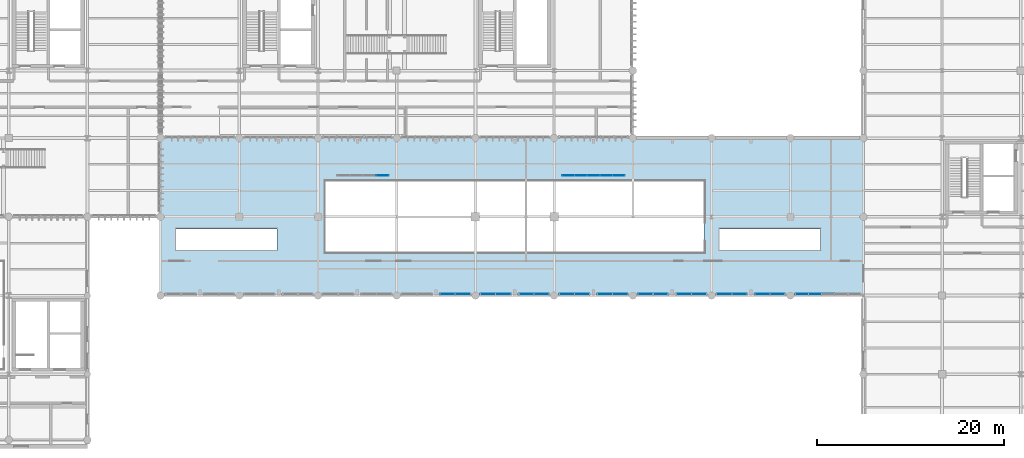
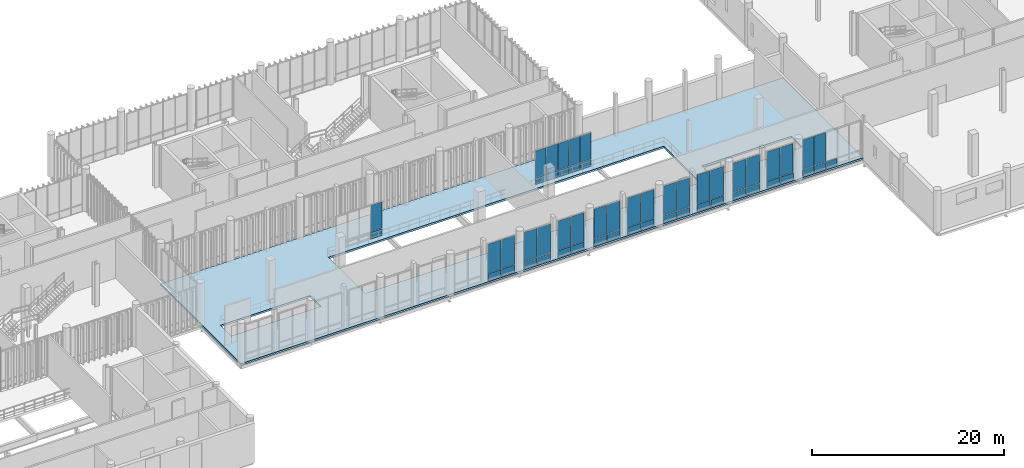
# One storey, part 98 of 128: 53 plates, 1 slab, 12 elements without a shape of their own.
"""IFC4 building model written with IfcOpenShell, lengths in metres."""

from ifc_helpers import new_model, si_unit, direction, frame, frame_2d, origin_with_axes, place, context, subcontext, project, spatial, polyline, rectangle, outline, extrude, material, layer, layer_set, type_object, element, aggregate, save


model = new_model("IFC4")

# Units and contexts
model_context = context("Model", 3, precision=1e-05, world=origin_with_axes(), true_north=direction((0.0, 1.0)))
body_context = subcontext(model_context, "Body", "Model", "MODEL_VIEW")
ifc_project = project(units=[si_unit("LENGTHUNIT", "METRE"), si_unit("AREAUNIT", "SQUARE_METRE"), si_unit("VOLUMEUNIT", "CUBIC_METRE"), si_unit("PLANEANGLEUNIT", "RADIAN"), si_unit("MASSUNIT", "GRAM", prefix="KILO"), si_unit("THERMODYNAMICTEMPERATUREUNIT", "KELVIN")], contexts=[model_context])

# Site, building, storey
site_placement = place(None, origin_with_axes())
site = spatial("IfcSite", under=ifc_project, at=site_placement, CompositionType="ELEMENT")
building_placement = place(site_placement, origin_with_axes())
building = spatial("IfcBuilding", under=site, at=building_placement, Name="Montbau Bow Law Courts", CompositionType="ELEMENT")
storey_placement = place(building_placement, frame((0.0, 0.0, 5.4), z_axis=(0.0, 0.0, 1.0), x_axis=(1.0, 0.0, 0.0)))
storey = spatial("IfcBuildingStorey", under=building, at=storey_placement, Name="L01", CompositionType="ELEMENT", Elevation=5.4)

# Curtain wall, plate
ifc_material_1 = material(Name="Thermally Broken Extruded Aluminium AA 6063-T6", Category="aluminium")
curtain_wall_type_1 = type_object("IfcCurtainWallType", Name="CW-INT-01", PredefinedType="NOTDEFINED", material=ifc_material_1)
curtain_wall_1_placement = place(None, frame((65.6, 35.0, 5.4), z_axis=(0.0, 0.0, 1.0), x_axis=(1.0, 0.0, 0.0)))
curtain_wall_1 = element("IfcCurtainWall", 1, at=curtain_wall_1_placement, inside=storey, type_object=curtain_wall_type_1, Name="CW-L01-415:cw_0415", PredefinedType="NOTDEFINED")
ifc_material_2 = material(Name="Triple-Glazed Low-E Argon Insulating Glass Unit", Category="glass")
ifc_layer_1 = layer(ifc_material_2, 0.044, Name="Curtain Panel", Category="glass")
ifc_layer_set_1 = layer_set([ifc_layer_1], Name="Triple-Glazed Low-E Argon Insulating Glass Unit")
plate_type_1 = type_object("IfcPlateType", Name="PL-CWP-01", PredefinedType="CURTAIN_PANEL", material=ifc_layer_set_1)
plate_1_placement = place(None, frame((69.834, 35.0, 6.379), z_axis=(0.0, -1.0, 0.0), x_axis=(1.0, 0.0, 0.0)))
plate_1 = element("IfcPlate", 2, at=plate_1_placement, type_object=plate_type_1, Name="CW-L01-415-P04-2:cw_0415_P04_2", PredefinedType="CURTAIN_PANEL", context=body_context, shape_type="SweptSolid", body=[
    extrude(rectangle(XDim=1.3, YDim=3.364, at=frame_2d((0.65, 1.682), x_axis=(1.0, 0.0))), frame((0.0, 0.0, -0.022), z_axis=(0.0, 0.0, 1.0), x_axis=(1.0, 0.0, 0.0)), (0.0, 0.0, 1.0), 0.044),
])

# Curtain wall, plates
curtain_wall_2_placement = place(None, frame((89.6, 35.0, 5.4), z_axis=(0.0, 0.0, 1.0), x_axis=(1.0, 0.0, 0.0)))
curtain_wall_2 = element("IfcCurtainWall", 3, at=curtain_wall_2_placement, inside=storey, type_object=curtain_wall_type_1, Name="CW-L01-416:cw_0416", PredefinedType="NOTDEFINED")
plate_2_placement = place(None, frame((89.662, 35.0, 6.382), z_axis=(0.0, -1.0, 0.0), x_axis=(1.0, 0.0, 0.0)))
plate_2 = element("IfcPlate", 4, at=plate_2_placement, type_object=plate_type_1, Name="CW-L01-416-P01-2:cw_0416_P01_2", PredefinedType="CURTAIN_PANEL", context=body_context, shape_type="SweptSolid", body=[
    extrude(rectangle(XDim=1.266, YDim=3.356, at=frame_2d((0.633, 1.678), x_axis=(1.0, 0.0))), frame((0.0, 0.0, -0.022), z_axis=(0.0, 0.0, 1.0), x_axis=(1.0, 0.0, 0.0)), (0.0, 0.0, 1.0), 0.044),
])
plate_3_placement = place(None, frame((90.992, 35.0, 6.382), z_axis=(0.0, -1.0, 0.0), x_axis=(1.0, 0.0, 0.0)))
plate_3 = element("IfcPlate", 5, at=plate_3_placement, type_object=plate_type_1, Name="CW-L01-416-P02-2:cw_0416_P02_2", PredefinedType="CURTAIN_PANEL", context=body_context, shape_type="SweptSolid", body=[
    extrude(rectangle(XDim=1.296, YDim=3.356, at=frame_2d((0.648, 1.678), x_axis=(1.0, 0.0))), frame((0.0, 0.0, -0.022), z_axis=(0.0, 0.0, 1.0), x_axis=(1.0, 0.0, 0.0)), (0.0, 0.0, 1.0), 0.044),
])
plate_4_placement = place(None, frame((92.352, 35.0, 6.382), z_axis=(0.0, -1.0, 0.0), x_axis=(1.0, 0.0, 0.0)))
plate_4 = element("IfcPlate", 6, at=plate_4_placement, type_object=plate_type_1, Name="CW-L01-416-P03-2:cw_0416_P03_2", PredefinedType="CURTAIN_PANEL", context=body_context, shape_type="SweptSolid", body=[
    extrude(rectangle(XDim=1.296, YDim=3.356, at=frame_2d((0.648, 1.678), x_axis=(1.0, 0.0))), frame((0.0, 0.0, -0.022), z_axis=(0.0, 0.0, 1.0), x_axis=(1.0, 0.0, 0.0)), (0.0, 0.0, 1.0), 0.044),
])
plate_5_placement = place(None, frame((93.712, 35.0, 6.382), z_axis=(0.0, -1.0, 0.0), x_axis=(1.0, 0.0, 0.0)))
plate_5 = element("IfcPlate", 7, at=plate_5_placement, type_object=plate_type_1, Name="CW-L01-416-P04-2:cw_0416_P04_2", PredefinedType="CURTAIN_PANEL", context=body_context, shape_type="SweptSolid", body=[
    extrude(rectangle(XDim=1.296, YDim=3.356, at=frame_2d((0.648, 1.678), x_axis=(1.0, 0.0))), frame((0.0, 0.0, -0.022), z_axis=(0.0, 0.0, 1.0), x_axis=(1.0, 0.0, 0.0)), (0.0, 0.0, 1.0), 0.044),
])
plate_6_placement = place(None, frame((95.072, 35.0, 6.382), z_axis=(0.0, -1.0, 0.0), x_axis=(1.0, 0.0, 0.0)))
plate_6 = element("IfcPlate", 8, at=plate_6_placement, type_object=plate_type_1, Name="CW-L01-416-P05-2:cw_0416_P05_2", PredefinedType="CURTAIN_PANEL", context=body_context, shape_type="SweptSolid", body=[
    extrude(rectangle(XDim=1.266, YDim=3.356, at=frame_2d((0.633, 1.678), x_axis=(1.0, 0.0))), frame((0.0, 0.0, -0.022), z_axis=(0.0, 0.0, 1.0), x_axis=(1.0, 0.0, 0.0)), (0.0, 0.0, 1.0), 0.044),
])

curtain_wall_type_2 = type_object("IfcCurtainWallType", Name="CW-WGC-01", PredefinedType="NOTDEFINED", material=ifc_material_1)
curtain_wall_3_placement = place(None, frame((76.59, 22.34, 5.4), z_axis=(0.0, 0.0, 1.0), x_axis=(1.0, 0.0, 0.0)))
curtain_wall_3 = element("IfcCurtainWall", 9, at=curtain_wall_3_placement, inside=storey, type_object=curtain_wall_type_2, Name="CW-L01-403:cw_0403", PredefinedType="NOTDEFINED")
ifc_material_3 = material(Name="Insulated Ceramic-Frit Spandrel Glazing Unit", Category="glass")
ifc_layer_2 = layer(ifc_material_3, 0.056, Name="Curtain Panel", Category="glass")
ifc_layer_set_2 = layer_set([ifc_layer_2], Name="Insulated Ceramic-Frit Spandrel Glazing Unit")
plate_type_2 = type_object("IfcPlateType", Name="PL-CWP-02", PredefinedType="CURTAIN_PANEL", material=ifc_layer_set_2)
plate_7_placement = place(None, frame((76.658, 22.34, 5.457), z_axis=(0.0, -1.0, 0.0), x_axis=(1.0, 0.0, 0.0)))
plate_7 = element("IfcPlate", 10, at=plate_7_placement, type_object=plate_type_2, Name="CW-L01-403-P01-1:cw_0403_P01_1", PredefinedType="CURTAIN_PANEL", context=body_context, shape_type="SweptSolid", body=[
    extrude(rectangle(XDim=1.545, YDim=0.864, at=frame_2d((0.7725, 0.432), x_axis=(1.0, 0.0))), frame((0.0, 0.0, -0.028), z_axis=(0.0, 0.0, 1.0), x_axis=(1.0, 0.0, 0.0)), (0.0, 0.0, 1.0), 0.056),
])
plate_8_placement = place(None, frame((78.272, 22.34, 5.457), z_axis=(0.0, -1.0, 0.0), x_axis=(1.0, 0.0, 0.0)))
plate_8 = element("IfcPlate", 11, at=plate_8_placement, type_object=plate_type_2, Name="CW-L01-403-P02-1:cw_0403_P02_1", PredefinedType="CURTAIN_PANEL", context=body_context, shape_type="SweptSolid", body=[
    extrude(rectangle(XDim=1.546, YDim=0.864, at=frame_2d((0.773, 0.432), x_axis=(1.0, 0.0))), frame((0.0, 0.0, -0.028), z_axis=(0.0, 0.0, 1.0), x_axis=(1.0, 0.0, 0.0)), (0.0, 0.0, 1.0), 0.056),
])

curtain_wall_4_placement = place(None, frame((80.915, 22.34, 5.4), z_axis=(0.0, 0.0, 1.0), x_axis=(1.0, 0.0, 0.0)))
curtain_wall_4 = element("IfcCurtainWall", 12, at=curtain_wall_4_placement, inside=storey, type_object=curtain_wall_type_2, Name="CW-L01-404:cw_0404", PredefinedType="NOTDEFINED")
plate_9_placement = place(None, frame((80.977, 22.34, 5.462), z_axis=(0.0, -1.0, 0.0), x_axis=(1.0, 0.0, 0.0)))
plate_9 = element("IfcPlate", 13, at=plate_9_placement, type_object=plate_type_2, Name="CW-L01-404-P01-1:cw_0404_P01_1", PredefinedType="CURTAIN_PANEL", context=body_context, shape_type="SweptSolid", body=[
    extrude(rectangle(XDim=1.553, YDim=0.856, at=frame_2d((0.7765, 0.428), x_axis=(1.0, 0.0))), frame((0.0, 0.0, -0.028), z_axis=(0.0, 0.0, 1.0), x_axis=(1.0, 0.0, 0.0)), (0.0, 0.0, 1.0), 0.056),
])
plate_10_placement = place(None, frame((82.594, 22.34, 5.462), z_axis=(0.0, -1.0, 0.0), x_axis=(1.0, 0.0, 0.0)))
plate_10 = element("IfcPlate", 14, at=plate_10_placement, type_object=plate_type_2, Name="CW-L01-404-P02-1:cw_0404_P02_1", PredefinedType="CURTAIN_PANEL", context=body_context, shape_type="SweptSolid", body=[
    extrude(rectangle(XDim=1.554, YDim=0.856, at=frame_2d((0.777, 0.428), x_axis=(1.0, 0.0))), frame((0.0, 0.0, -0.028), z_axis=(0.0, 0.0, 1.0), x_axis=(1.0, 0.0, 0.0)), (0.0, 0.0, 1.0), 0.056),
])

curtain_wall_5_placement = place(None, frame((84.99, 22.34, 5.4), z_axis=(0.0, 0.0, 1.0), x_axis=(1.0, 0.0, 0.0)))
curtain_wall_5 = element("IfcCurtainWall", 15, at=curtain_wall_5_placement, inside=storey, type_object=curtain_wall_type_2, Name="CW-L01-405:cw_0405", PredefinedType="NOTDEFINED")
plate_11_placement = place(None, frame((85.066, 22.34, 5.457), z_axis=(0.0, -1.0, 0.0), x_axis=(1.0, 0.0, 0.0)))
plate_11 = element("IfcPlate", 16, at=plate_11_placement, type_object=plate_type_2, Name="CW-L01-405-P01-1:cw_0405_P01_1", PredefinedType="CURTAIN_PANEL", context=body_context, shape_type="SweptSolid", body=[
    extrude(rectangle(XDim=1.532, YDim=0.864, at=frame_2d((0.766, 0.432), x_axis=(1.0, 0.0))), frame((0.0, 0.0, -0.028), z_axis=(0.0, 0.0, 1.0), x_axis=(1.0, 0.0, 0.0)), (0.0, 0.0, 1.0), 0.056),
])
plate_12_placement = place(None, frame((86.678, 22.34, 5.457), z_axis=(0.0, -1.0, 0.0), x_axis=(1.0, 0.0, 0.0)))
plate_12 = element("IfcPlate", 17, at=plate_12_placement, type_object=plate_type_2, Name="CW-L01-405-P02-1:cw_0405_P02_1", PredefinedType="CURTAIN_PANEL", context=body_context, shape_type="SweptSolid", body=[
    extrude(rectangle(XDim=1.531, YDim=0.864, at=frame_2d((0.7655, 0.432), x_axis=(1.0, 0.0))), frame((0.0, 0.0, -0.028), z_axis=(0.0, 0.0, 1.0), x_axis=(1.0, 0.0, 0.0)), (0.0, 0.0, 1.0), 0.056),
])

curtain_wall_type_3 = type_object("IfcCurtainWallType", Name="CW-WGC-02", PredefinedType="NOTDEFINED", material=ifc_material_1)
curtain_wall_6_placement = place(None, frame((89.315, 22.34, 5.4), z_axis=(0.0, 0.0, 1.0), x_axis=(1.0, 0.0, 0.0)))
curtain_wall_6 = element("IfcCurtainWall", 18, at=curtain_wall_6_placement, inside=storey, type_object=curtain_wall_type_3, Name="CW-L01-406:cw_0406", PredefinedType="NOTDEFINED")
plate_13_placement = place(None, frame((89.383, 22.34, 5.462), z_axis=(0.0, -1.0, 0.0), x_axis=(1.0, 0.0, 0.0)))
plate_13 = element("IfcPlate", 19, at=plate_13_placement, type_object=plate_type_2, Name="CW-L01-406-P01-1:cw_0406_P01_1", PredefinedType="CURTAIN_PANEL", context=body_context, shape_type="SweptSolid", body=[
    extrude(rectangle(XDim=1.545, YDim=0.856, at=frame_2d((0.7725, 0.428), x_axis=(1.0, 0.0))), frame((0.0, 0.0, -0.028), z_axis=(0.0, 0.0, 1.0), x_axis=(1.0, 0.0, 0.0)), (0.0, 0.0, 1.0), 0.056),
])
plate_14_placement = place(None, frame((90.997, 22.34, 5.462), z_axis=(0.0, -1.0, 0.0), x_axis=(1.0, 0.0, 0.0)))
plate_14 = element("IfcPlate", 20, at=plate_14_placement, type_object=plate_type_2, Name="CW-L01-406-P02-1:cw_0406_P02_1", PredefinedType="CURTAIN_PANEL", context=body_context, shape_type="SweptSolid", body=[
    extrude(rectangle(XDim=1.546, YDim=0.856, at=frame_2d((0.773, 0.428), x_axis=(1.0, 0.0))), frame((0.0, 0.0, -0.028), z_axis=(0.0, 0.0, 1.0), x_axis=(1.0, 0.0, 0.0)), (0.0, 0.0, 1.0), 0.056),
])

curtain_wall_7_placement = place(None, frame((93.39, 22.34, 5.4), z_axis=(0.0, 0.0, 1.0), x_axis=(1.0, 0.0, 0.0)))
curtain_wall_7 = element("IfcCurtainWall", 21, at=curtain_wall_7_placement, inside=storey, type_object=curtain_wall_type_3, Name="CW-L01-407:cw_0407", PredefinedType="NOTDEFINED")
plate_15_placement = place(None, frame((93.452, 22.34, 5.457), z_axis=(0.0, -1.0, 0.0), x_axis=(1.0, 0.0, 0.0)))
plate_15 = element("IfcPlate", 22, at=plate_15_placement, type_object=plate_type_2, Name="CW-L01-407-P01-1:cw_0407_P01_1", PredefinedType="CURTAIN_PANEL", context=body_context, shape_type="SweptSolid", body=[
    extrude(rectangle(XDim=1.554, YDim=0.864, at=frame_2d((0.777, 0.432), x_axis=(1.0, 0.0))), frame((0.0, 0.0, -0.028), z_axis=(0.0, 0.0, 1.0), x_axis=(1.0, 0.0, 0.0)), (0.0, 0.0, 1.0), 0.056),
])
plate_16_placement = place(None, frame((95.07, 22.34, 5.457), z_axis=(0.0, -1.0, 0.0), x_axis=(1.0, 0.0, 0.0)))
plate_16 = element("IfcPlate", 23, at=plate_16_placement, type_object=plate_type_2, Name="CW-L01-407-P02-1:cw_0407_P02_1", PredefinedType="CURTAIN_PANEL", context=body_context, shape_type="SweptSolid", body=[
    extrude(rectangle(XDim=1.553, YDim=0.864, at=frame_2d((0.7765, 0.432), x_axis=(1.0, 0.0))), frame((0.0, 0.0, -0.028), z_axis=(0.0, 0.0, 1.0), x_axis=(1.0, 0.0, 0.0)), (0.0, 0.0, 1.0), 0.056),
])

curtain_wall_8_placement = place(None, frame((97.715, 22.34, 5.4), z_axis=(0.0, 0.0, 1.0), x_axis=(1.0, 0.0, 0.0)))
curtain_wall_8 = element("IfcCurtainWall", 24, at=curtain_wall_8_placement, inside=storey, type_object=curtain_wall_type_3, Name="CW-L01-408:cw_0408", PredefinedType="NOTDEFINED")
plate_17_placement = place(None, frame((97.791, 22.34, 5.462), z_axis=(0.0, -1.0, 0.0), x_axis=(1.0, 0.0, 0.0)))
plate_17 = element("IfcPlate", 25, at=plate_17_placement, type_object=plate_type_2, Name="CW-L01-408-P01-1:cw_0408_P01_1", PredefinedType="CURTAIN_PANEL", context=body_context, shape_type="SweptSolid", body=[
    extrude(rectangle(XDim=1.532, YDim=0.856, at=frame_2d((0.766, 0.428), x_axis=(1.0, 0.0))), frame((0.0, 0.0, -0.028), z_axis=(0.0, 0.0, 1.0), x_axis=(1.0, 0.0, 0.0)), (0.0, 0.0, 1.0), 0.056),
])
plate_18_placement = place(None, frame((99.403, 22.34, 5.462), z_axis=(0.0, -1.0, 0.0), x_axis=(1.0, 0.0, 0.0)))
plate_18 = element("IfcPlate", 26, at=plate_18_placement, type_object=plate_type_2, Name="CW-L01-408-P02-1:cw_0408_P02_1", PredefinedType="CURTAIN_PANEL", context=body_context, shape_type="SweptSolid", body=[
    extrude(rectangle(XDim=1.531, YDim=0.856, at=frame_2d((0.7655, 0.428), x_axis=(1.0, 0.0))), frame((0.0, 0.0, -0.028), z_axis=(0.0, 0.0, 1.0), x_axis=(1.0, 0.0, 0.0)), (0.0, 0.0, 1.0), 0.056),
])

curtain_wall_9_placement = place(None, frame((101.79, 22.34, 5.4), z_axis=(0.0, 0.0, 1.0), x_axis=(1.0, 0.0, 0.0)))
curtain_wall_9 = element("IfcCurtainWall", 27, at=curtain_wall_9_placement, inside=storey, type_object=curtain_wall_type_3, Name="CW-L01-409:cw_0409", PredefinedType="NOTDEFINED")
plate_19_placement = place(None, frame((101.858, 22.34, 5.457), z_axis=(0.0, -1.0, 0.0), x_axis=(1.0, 0.0, 0.0)))
plate_19 = element("IfcPlate", 28, at=plate_19_placement, type_object=plate_type_2, Name="CW-L01-409-P01-1:cw_0409_P01_1", PredefinedType="CURTAIN_PANEL", context=body_context, shape_type="SweptSolid", body=[
    extrude(rectangle(XDim=1.545, YDim=0.864, at=frame_2d((0.7725, 0.432), x_axis=(1.0, 0.0))), frame((0.0, 0.0, -0.028), z_axis=(0.0, 0.0, 1.0), x_axis=(1.0, 0.0, 0.0)), (0.0, 0.0, 1.0), 0.056),
])
plate_20_placement = place(None, frame((103.471, 22.34, 5.457), z_axis=(0.0, -1.0, 0.0), x_axis=(1.0, 0.0, 0.0)))
plate_20 = element("IfcPlate", 29, at=plate_20_placement, type_object=plate_type_2, Name="CW-L01-409-P02-1:cw_0409_P02_1", PredefinedType="CURTAIN_PANEL", context=body_context, shape_type="SweptSolid", body=[
    extrude(rectangle(XDim=1.547, YDim=0.864, at=frame_2d((0.7735, 0.432), x_axis=(1.0, 0.0))), frame((0.0, 0.0, -0.028), z_axis=(0.0, 0.0, 1.0), x_axis=(1.0, 0.0, 0.0)), (0.0, 0.0, 1.0), 0.056),
])

curtain_wall_10_placement = place(None, frame((106.115, 22.34, 5.4), z_axis=(0.0, 0.0, 1.0), x_axis=(1.0, 0.0, 0.0)))
curtain_wall_10 = element("IfcCurtainWall", 30, at=curtain_wall_10_placement, inside=storey, type_object=curtain_wall_type_2, Name="CW-L01-410:cw_0410", PredefinedType="NOTDEFINED")
plate_21_placement = place(None, frame((106.177, 22.34, 5.462), z_axis=(0.0, -1.0, 0.0), x_axis=(1.0, 0.0, 0.0)))
plate_21 = element("IfcPlate", 31, at=plate_21_placement, type_object=plate_type_2, Name="CW-L01-410-P01-1:cw_0410_P01_1", PredefinedType="CURTAIN_PANEL", context=body_context, shape_type="SweptSolid", body=[
    extrude(rectangle(XDim=1.554, YDim=0.856, at=frame_2d((0.777, 0.428), x_axis=(1.0, 0.0))), frame((0.0, 0.0, -0.028), z_axis=(0.0, 0.0, 1.0), x_axis=(1.0, 0.0, 0.0)), (0.0, 0.0, 1.0), 0.056),
])
plate_22_placement = place(None, frame((107.795, 22.34, 5.462), z_axis=(0.0, -1.0, 0.0), x_axis=(1.0, 0.0, 0.0)))
plate_22 = element("IfcPlate", 32, at=plate_22_placement, type_object=plate_type_2, Name="CW-L01-410-P02-1:cw_0410_P02_1", PredefinedType="CURTAIN_PANEL", context=body_context, shape_type="SweptSolid", body=[
    extrude(rectangle(XDim=1.553, YDim=0.856, at=frame_2d((0.7765, 0.428), x_axis=(1.0, 0.0))), frame((0.0, 0.0, -0.028), z_axis=(0.0, 0.0, 1.0), x_axis=(1.0, 0.0, 0.0)), (0.0, 0.0, 1.0), 0.056),
])

curtain_wall_11_placement = place(None, frame((110.19, 22.34, 5.4), z_axis=(0.0, 0.0, 1.0), x_axis=(1.0, 0.0, 0.0)))
curtain_wall_11 = element("IfcCurtainWall", 33, at=curtain_wall_11_placement, inside=storey, type_object=curtain_wall_type_2, Name="CW-L01-411:cw_0411", PredefinedType="NOTDEFINED")
plate_23_placement = place(None, frame((110.266, 22.34, 5.457), z_axis=(0.0, -1.0, 0.0), x_axis=(1.0, 0.0, 0.0)))
plate_23 = element("IfcPlate", 34, at=plate_23_placement, type_object=plate_type_2, Name="CW-L01-411-P01-1:cw_0411_P01_1", PredefinedType="CURTAIN_PANEL", context=body_context, shape_type="SweptSolid", body=[
    extrude(rectangle(XDim=1.532, YDim=0.864, at=frame_2d((0.766, 0.432), x_axis=(1.0, 0.0))), frame((0.0, 0.0, -0.028), z_axis=(0.0, 0.0, 1.0), x_axis=(1.0, 0.0, 0.0)), (0.0, 0.0, 1.0), 0.056),
])
plate_24_placement = place(None, frame((111.878, 22.34, 5.457), z_axis=(0.0, -1.0, 0.0), x_axis=(1.0, 0.0, 0.0)))
plate_24 = element("IfcPlate", 35, at=plate_24_placement, type_object=plate_type_2, Name="CW-L01-411-P02-1:cw_0411_P02_1", PredefinedType="CURTAIN_PANEL", context=body_context, shape_type="SweptSolid", body=[
    extrude(rectangle(XDim=1.531, YDim=0.864, at=frame_2d((0.7655, 0.432), x_axis=(1.0, 0.0))), frame((0.0, 0.0, -0.028), z_axis=(0.0, 0.0, 1.0), x_axis=(1.0, 0.0, 0.0)), (0.0, 0.0, 1.0), 0.056),
])

curtain_wall_12_placement = place(None, frame((114.515, 22.34, 5.4), z_axis=(0.0, 0.0, 1.0), x_axis=(1.0, 0.0, 0.0)))
curtain_wall_12 = element("IfcCurtainWall", 36, at=curtain_wall_12_placement, inside=storey, type_object=curtain_wall_type_2, Name="CW-L01-412:cw_0412", PredefinedType="NOTDEFINED")
plate_25_placement = place(None, frame((114.583, 22.34, 5.462), z_axis=(0.0, -1.0, 0.0), x_axis=(1.0, 0.0, 0.0)))
plate_25 = element("IfcPlate", 37, at=plate_25_placement, type_object=plate_type_2, Name="CW-L01-412-P01-1:cw_0412_P01_1", PredefinedType="CURTAIN_PANEL", context=body_context, shape_type="SweptSolid", body=[
    extrude(rectangle(XDim=1.301, YDim=0.856, at=frame_2d((0.6505, 0.428), x_axis=(1.0, 0.0))), frame((0.0, 0.0, -0.028), z_axis=(0.0, 0.0, 1.0), x_axis=(1.0, 0.0, 0.0)), (0.0, 0.0, 1.0), 0.056),
])
plate_26_placement = place(None, frame((115.953, 22.34, 5.462), z_axis=(0.0, -1.0, 0.0), x_axis=(1.0, 0.0, 0.0)))
plate_26 = element("IfcPlate", 38, at=plate_26_placement, type_object=plate_type_2, Name="CW-L01-412-P02-1:cw_0412_P02_1", PredefinedType="CURTAIN_PANEL", context=body_context, shape_type="SweptSolid", body=[
    extrude(rectangle(XDim=1.334, YDim=0.856, at=frame_2d((0.667, 0.428), x_axis=(1.0, 0.0))), frame((0.0, 0.0, -0.028), z_axis=(0.0, 0.0, 1.0), x_axis=(1.0, 0.0, 0.0)), (0.0, 0.0, 1.0), 0.056),
])
plate_27_placement = place(None, frame((117.356, 22.34, 5.462), z_axis=(0.0, -1.0, 0.0), x_axis=(1.0, 0.0, 0.0)))
plate_27 = element("IfcPlate", 39, at=plate_27_placement, type_object=plate_type_2, Name="CW-L01-412-P03-1:cw_0412_P03_1", PredefinedType="CURTAIN_PANEL", context=body_context, shape_type="SweptSolid", body=[
    extrude(rectangle(XDim=1.335, YDim=0.856, at=frame_2d((0.6675, 0.428), x_axis=(1.0, 0.0))), frame((0.0, 0.0, -0.028), z_axis=(0.0, 0.0, 1.0), x_axis=(1.0, 0.0, 0.0)), (0.0, 0.0, 1.0), 0.056),
])

# Plate
plate_28_placement = place(None, frame((69.834, 35.0, 5.457), z_axis=(0.0, -1.0, 0.0), x_axis=(1.0, 0.0, 0.0)))
plate_28 = element("IfcPlate", 40, at=plate_28_placement, type_object=plate_type_2, Name="CW-L01-415-P04-1:cw_0415_P04_1", PredefinedType="CURTAIN_PANEL", context=body_context, shape_type="SweptSolid", body=[
    extrude(rectangle(XDim=1.3, YDim=0.864, at=frame_2d((0.65, 0.432), x_axis=(1.0, 0.0))), frame((0.0, 0.0, -0.028), z_axis=(0.0, 0.0, 1.0), x_axis=(1.0, 0.0, 0.0)), (0.0, 0.0, 1.0), 0.056),
])

aggregate(curtain_wall_1, [plate_28, plate_1])

plate_29_placement = place(None, frame((89.662, 35.0, 5.462), z_axis=(0.0, -1.0, 0.0), x_axis=(1.0, 0.0, 0.0)))
plate_29 = element("IfcPlate", 41, at=plate_29_placement, type_object=plate_type_2, Name="CW-L01-416-P01-1:cw_0416_P01_1", PredefinedType="CURTAIN_PANEL", context=body_context, shape_type="SweptSolid", body=[
    extrude(rectangle(XDim=1.266, YDim=0.856, at=frame_2d((0.633, 0.428), x_axis=(1.0, 0.0))), frame((0.0, 0.0, -0.028), z_axis=(0.0, 0.0, 1.0), x_axis=(1.0, 0.0, 0.0)), (0.0, 0.0, 1.0), 0.056),
])

plate_30_placement = place(None, frame((90.992, 35.0, 5.462), z_axis=(0.0, -1.0, 0.0), x_axis=(1.0, 0.0, 0.0)))
plate_30 = element("IfcPlate", 42, at=plate_30_placement, type_object=plate_type_2, Name="CW-L01-416-P02-1:cw_0416_P02_1", PredefinedType="CURTAIN_PANEL", context=body_context, shape_type="SweptSolid", body=[
    extrude(rectangle(XDim=1.296, YDim=0.856, at=frame_2d((0.648, 0.428), x_axis=(1.0, 0.0))), frame((0.0, 0.0, -0.028), z_axis=(0.0, 0.0, 1.0), x_axis=(1.0, 0.0, 0.0)), (0.0, 0.0, 1.0), 0.056),
])

plate_31_placement = place(None, frame((92.352, 35.0, 5.462), z_axis=(0.0, -1.0, 0.0), x_axis=(1.0, 0.0, 0.0)))
plate_31 = element("IfcPlate", 43, at=plate_31_placement, type_object=plate_type_2, Name="CW-L01-416-P03-1:cw_0416_P03_1", PredefinedType="CURTAIN_PANEL", context=body_context, shape_type="SweptSolid", body=[
    extrude(rectangle(XDim=1.296, YDim=0.856, at=frame_2d((0.648, 0.428), x_axis=(1.0, 0.0))), frame((0.0, 0.0, -0.028), z_axis=(0.0, 0.0, 1.0), x_axis=(1.0, 0.0, 0.0)), (0.0, 0.0, 1.0), 0.056),
])

plate_32_placement = place(None, frame((93.712, 35.0, 5.462), z_axis=(0.0, -1.0, 0.0), x_axis=(1.0, 0.0, 0.0)))
plate_32 = element("IfcPlate", 44, at=plate_32_placement, type_object=plate_type_2, Name="CW-L01-416-P04-1:cw_0416_P04_1", PredefinedType="CURTAIN_PANEL", context=body_context, shape_type="SweptSolid", body=[
    extrude(rectangle(XDim=1.296, YDim=0.856, at=frame_2d((0.648, 0.428), x_axis=(1.0, 0.0))), frame((0.0, 0.0, -0.028), z_axis=(0.0, 0.0, 1.0), x_axis=(1.0, 0.0, 0.0)), (0.0, 0.0, 1.0), 0.056),
])

plate_33_placement = place(None, frame((95.072, 35.0, 5.462), z_axis=(0.0, -1.0, 0.0), x_axis=(1.0, 0.0, 0.0)))
plate_33 = element("IfcPlate", 45, at=plate_33_placement, type_object=plate_type_2, Name="CW-L01-416-P05-1:cw_0416_P05_1", PredefinedType="CURTAIN_PANEL", context=body_context, shape_type="SweptSolid", body=[
    extrude(rectangle(XDim=1.266, YDim=0.856, at=frame_2d((0.633, 0.428), x_axis=(1.0, 0.0))), frame((0.0, 0.0, -0.028), z_axis=(0.0, 0.0, 1.0), x_axis=(1.0, 0.0, 0.0)), (0.0, 0.0, 1.0), 0.056),
])

aggregate(curtain_wall_2, [plate_29, plate_2, plate_30, plate_3, plate_31, plate_4, plate_32, plate_5, plate_33, plate_6])

ifc_material_4 = material(Name="Triple-Glazed Winter-Garden Vision Unit", Category="glass")
ifc_layer_3 = layer(ifc_material_4, 0.036, Name="Curtain Panel", Category="glass")
ifc_layer_set_3 = layer_set([ifc_layer_3], Name="Triple-Glazed Winter-Garden Vision Unit")
plate_type_3 = type_object("IfcPlateType", Name="PL-CWP-03", PredefinedType="CURTAIN_PANEL", material=ifc_layer_set_3)
plate_34_placement = place(None, frame((76.658, 22.34, 6.379), z_axis=(0.0, -1.0, 0.0), x_axis=(1.0, 0.0, 0.0)))
plate_34 = element("IfcPlate", 46, at=plate_34_placement, type_object=plate_type_3, Name="CW-L01-403-P01-2:cw_0403_P01_2", PredefinedType="CURTAIN_PANEL", context=body_context, shape_type="SweptSolid", body=[
    extrude(rectangle(XDim=1.545, YDim=3.714, at=frame_2d((0.7725, 1.857), x_axis=(1.0, 0.0))), frame((0.0, 0.0, -0.018), z_axis=(0.0, 0.0, 1.0), x_axis=(1.0, 0.0, 0.0)), (0.0, 0.0, 1.0), 0.036),
])

plate_35_placement = place(None, frame((78.272, 22.34, 6.379), z_axis=(0.0, -1.0, 0.0), x_axis=(1.0, 0.0, 0.0)))
plate_35 = element("IfcPlate", 47, at=plate_35_placement, type_object=plate_type_3, Name="CW-L01-403-P02-2:cw_0403_P02_2", PredefinedType="CURTAIN_PANEL", context=body_context, shape_type="SweptSolid", body=[
    extrude(rectangle(XDim=1.546, YDim=3.714, at=frame_2d((0.773, 1.857), x_axis=(1.0, 0.0))), frame((0.0, 0.0, -0.018), z_axis=(0.0, 0.0, 1.0), x_axis=(1.0, 0.0, 0.0)), (0.0, 0.0, 1.0), 0.036),
])

aggregate(curtain_wall_3, [plate_7, plate_34, plate_8, plate_35])

plate_36_placement = place(None, frame((80.977, 22.34, 6.382), z_axis=(0.0, -1.0, 0.0), x_axis=(1.0, 0.0, 0.0)))
plate_36 = element("IfcPlate", 48, at=plate_36_placement, type_object=plate_type_3, Name="CW-L01-404-P01-2:cw_0404_P01_2", PredefinedType="CURTAIN_PANEL", context=body_context, shape_type="SweptSolid", body=[
    extrude(rectangle(XDim=1.553, YDim=3.706, at=frame_2d((0.7765, 1.853), x_axis=(1.0, 0.0))), frame((0.0, 0.0, -0.018), z_axis=(0.0, 0.0, 1.0), x_axis=(1.0, 0.0, 0.0)), (0.0, 0.0, 1.0), 0.036),
])

plate_37_placement = place(None, frame((82.594, 22.34, 6.382), z_axis=(0.0, -1.0, 0.0), x_axis=(1.0, 0.0, 0.0)))
plate_37 = element("IfcPlate", 49, at=plate_37_placement, type_object=plate_type_3, Name="CW-L01-404-P02-2:cw_0404_P02_2", PredefinedType="CURTAIN_PANEL", context=body_context, shape_type="SweptSolid", body=[
    extrude(rectangle(XDim=1.554, YDim=3.706, at=frame_2d((0.777, 1.853), x_axis=(1.0, 0.0))), frame((0.0, 0.0, -0.018), z_axis=(0.0, 0.0, 1.0), x_axis=(1.0, 0.0, 0.0)), (0.0, 0.0, 1.0), 0.036),
])

aggregate(curtain_wall_4, [plate_9, plate_36, plate_10, plate_37])

plate_38_placement = place(None, frame((85.066, 22.34, 6.379), z_axis=(0.0, -1.0, 0.0), x_axis=(1.0, 0.0, 0.0)))
plate_38 = element("IfcPlate", 50, at=plate_38_placement, type_object=plate_type_3, Name="CW-L01-405-P01-2:cw_0405_P01_2", PredefinedType="CURTAIN_PANEL", context=body_context, shape_type="SweptSolid", body=[
    extrude(rectangle(XDim=1.532, YDim=3.714, at=frame_2d((0.766, 1.857), x_axis=(1.0, 0.0))), frame((0.0, 0.0, -0.018), z_axis=(0.0, 0.0, 1.0), x_axis=(1.0, 0.0, 0.0)), (0.0, 0.0, 1.0), 0.036),
])

plate_39_placement = place(None, frame((86.678, 22.34, 6.379), z_axis=(0.0, -1.0, 0.0), x_axis=(1.0, 0.0, 0.0)))
plate_39 = element("IfcPlate", 51, at=plate_39_placement, type_object=plate_type_3, Name="CW-L01-405-P02-2:cw_0405_P02_2", PredefinedType="CURTAIN_PANEL", context=body_context, shape_type="SweptSolid", body=[
    extrude(rectangle(XDim=1.531, YDim=3.714, at=frame_2d((0.7655, 1.857), x_axis=(1.0, 0.0))), frame((0.0, 0.0, -0.018), z_axis=(0.0, 0.0, 1.0), x_axis=(1.0, 0.0, 0.0)), (0.0, 0.0, 1.0), 0.036),
])

aggregate(curtain_wall_5, [plate_11, plate_38, plate_12, plate_39])

plate_40_placement = place(None, frame((89.383, 22.34, 6.382), z_axis=(0.0, -1.0, 0.0), x_axis=(1.0, 0.0, 0.0)))
plate_40 = element("IfcPlate", 52, at=plate_40_placement, type_object=plate_type_3, Name="CW-L01-406-P01-2:cw_0406_P01_2", PredefinedType="CURTAIN_PANEL", context=body_context, shape_type="SweptSolid", body=[
    extrude(rectangle(XDim=1.545, YDim=3.706, at=frame_2d((0.7725, 1.853), x_axis=(1.0, 0.0))), frame((0.0, 0.0, -0.018), z_axis=(0.0, 0.0, 1.0), x_axis=(1.0, 0.0, 0.0)), (0.0, 0.0, 1.0), 0.036),
])

plate_41_placement = place(None, frame((90.997, 22.34, 6.382), z_axis=(0.0, -1.0, 0.0), x_axis=(1.0, 0.0, 0.0)))
plate_41 = element("IfcPlate", 53, at=plate_41_placement, type_object=plate_type_3, Name="CW-L01-406-P02-2:cw_0406_P02_2", PredefinedType="CURTAIN_PANEL", context=body_context, shape_type="SweptSolid", body=[
    extrude(rectangle(XDim=1.546, YDim=3.706, at=frame_2d((0.773, 1.853), x_axis=(1.0, 0.0))), frame((0.0, 0.0, -0.018), z_axis=(0.0, 0.0, 1.0), x_axis=(1.0, 0.0, 0.0)), (0.0, 0.0, 1.0), 0.036),
])

aggregate(curtain_wall_6, [plate_13, plate_40, plate_14, plate_41])

plate_42_placement = place(None, frame((93.452, 22.34, 6.379), z_axis=(0.0, -1.0, 0.0), x_axis=(1.0, 0.0, 0.0)))
plate_42 = element("IfcPlate", 54, at=plate_42_placement, type_object=plate_type_3, Name="CW-L01-407-P01-2:cw_0407_P01_2", PredefinedType="CURTAIN_PANEL", context=body_context, shape_type="SweptSolid", body=[
    extrude(rectangle(XDim=1.554, YDim=3.714, at=frame_2d((0.777, 1.857), x_axis=(1.0, 0.0))), frame((0.0, 0.0, -0.018), z_axis=(0.0, 0.0, 1.0), x_axis=(1.0, 0.0, 0.0)), (0.0, 0.0, 1.0), 0.036),
])

plate_43_placement = place(None, frame((95.07, 22.34, 6.379), z_axis=(0.0, -1.0, 0.0), x_axis=(1.0, 0.0, 0.0)))
plate_43 = element("IfcPlate", 55, at=plate_43_placement, type_object=plate_type_3, Name="CW-L01-407-P02-2:cw_0407_P02_2", PredefinedType="CURTAIN_PANEL", context=body_context, shape_type="SweptSolid", body=[
    extrude(rectangle(XDim=1.553, YDim=3.714, at=frame_2d((0.7765, 1.857), x_axis=(1.0, 0.0))), frame((0.0, 0.0, -0.018), z_axis=(0.0, 0.0, 1.0), x_axis=(1.0, 0.0, 0.0)), (0.0, 0.0, 1.0), 0.036),
])

aggregate(curtain_wall_7, [plate_15, plate_42, plate_16, plate_43])

plate_44_placement = place(None, frame((97.791, 22.34, 6.382), z_axis=(0.0, -1.0, 0.0), x_axis=(1.0, 0.0, 0.0)))
plate_44 = element("IfcPlate", 56, at=plate_44_placement, type_object=plate_type_3, Name="CW-L01-408-P01-2:cw_0408_P01_2", PredefinedType="CURTAIN_PANEL", context=body_context, shape_type="SweptSolid", body=[
    extrude(rectangle(XDim=1.532, YDim=3.706, at=frame_2d((0.766, 1.853), x_axis=(1.0, 0.0))), frame((0.0, 0.0, -0.018), z_axis=(0.0, 0.0, 1.0), x_axis=(1.0, 0.0, 0.0)), (0.0, 0.0, 1.0), 0.036),
])

plate_45_placement = place(None, frame((99.403, 22.34, 6.382), z_axis=(0.0, -1.0, 0.0), x_axis=(1.0, 0.0, 0.0)))
plate_45 = element("IfcPlate", 57, at=plate_45_placement, type_object=plate_type_3, Name="CW-L01-408-P02-2:cw_0408_P02_2", PredefinedType="CURTAIN_PANEL", context=body_context, shape_type="SweptSolid", body=[
    extrude(rectangle(XDim=1.531, YDim=3.706, at=frame_2d((0.7655, 1.853), x_axis=(1.0, 0.0))), frame((0.0, 0.0, -0.018), z_axis=(0.0, 0.0, 1.0), x_axis=(1.0, 0.0, 0.0)), (0.0, 0.0, 1.0), 0.036),
])

aggregate(curtain_wall_8, [plate_17, plate_44, plate_18, plate_45])

plate_46_placement = place(None, frame((101.858, 22.34, 6.379), z_axis=(0.0, -1.0, 0.0), x_axis=(1.0, 0.0, 0.0)))
plate_46 = element("IfcPlate", 58, at=plate_46_placement, type_object=plate_type_3, Name="CW-L01-409-P01-2:cw_0409_P01_2", PredefinedType="CURTAIN_PANEL", context=body_context, shape_type="SweptSolid", body=[
    extrude(rectangle(XDim=1.545, YDim=3.714, at=frame_2d((0.7725, 1.857), x_axis=(1.0, 0.0))), frame((0.0, 0.0, -0.018), z_axis=(0.0, 0.0, 1.0), x_axis=(1.0, 0.0, 0.0)), (0.0, 0.0, 1.0), 0.036),
])

plate_47_placement = place(None, frame((103.471, 22.34, 6.379), z_axis=(0.0, -1.0, 0.0), x_axis=(1.0, 0.0, 0.0)))
plate_47 = element("IfcPlate", 59, at=plate_47_placement, type_object=plate_type_3, Name="CW-L01-409-P02-2:cw_0409_P02_2", PredefinedType="CURTAIN_PANEL", context=body_context, shape_type="SweptSolid", body=[
    extrude(rectangle(XDim=1.547, YDim=3.714, at=frame_2d((0.7735, 1.857), x_axis=(1.0, 0.0))), frame((0.0, 0.0, -0.018), z_axis=(0.0, 0.0, 1.0), x_axis=(1.0, 0.0, 0.0)), (0.0, 0.0, 1.0), 0.036),
])

aggregate(curtain_wall_9, [plate_19, plate_46, plate_20, plate_47])

plate_48_placement = place(None, frame((106.177, 22.34, 6.382), z_axis=(0.0, -1.0, 0.0), x_axis=(1.0, 0.0, 0.0)))
plate_48 = element("IfcPlate", 60, at=plate_48_placement, type_object=plate_type_3, Name="CW-L01-410-P01-2:cw_0410_P01_2", PredefinedType="CURTAIN_PANEL", context=body_context, shape_type="SweptSolid", body=[
    extrude(rectangle(XDim=1.554, YDim=3.706, at=frame_2d((0.777, 1.853), x_axis=(1.0, 0.0))), frame((0.0, 0.0, -0.018), z_axis=(0.0, 0.0, 1.0), x_axis=(1.0, 0.0, 0.0)), (0.0, 0.0, 1.0), 0.036),
])

plate_49_placement = place(None, frame((107.795, 22.34, 6.382), z_axis=(0.0, -1.0, 0.0), x_axis=(1.0, 0.0, 0.0)))
plate_49 = element("IfcPlate", 61, at=plate_49_placement, type_object=plate_type_3, Name="CW-L01-410-P02-2:cw_0410_P02_2", PredefinedType="CURTAIN_PANEL", context=body_context, shape_type="SweptSolid", body=[
    extrude(rectangle(XDim=1.553, YDim=3.706, at=frame_2d((0.7765, 1.853), x_axis=(1.0, 0.0))), frame((0.0, 0.0, -0.018), z_axis=(0.0, 0.0, 1.0), x_axis=(1.0, 0.0, 0.0)), (0.0, 0.0, 1.0), 0.036),
])

aggregate(curtain_wall_10, [plate_21, plate_48, plate_22, plate_49])

plate_50_placement = place(None, frame((110.266, 22.34, 6.379), z_axis=(0.0, -1.0, 0.0), x_axis=(1.0, 0.0, 0.0)))
plate_50 = element("IfcPlate", 62, at=plate_50_placement, type_object=plate_type_3, Name="CW-L01-411-P01-2:cw_0411_P01_2", PredefinedType="CURTAIN_PANEL", context=body_context, shape_type="SweptSolid", body=[
    extrude(rectangle(XDim=1.532, YDim=3.714, at=frame_2d((0.766, 1.857), x_axis=(1.0, 0.0))), frame((0.0, 0.0, -0.018), z_axis=(0.0, 0.0, 1.0), x_axis=(1.0, 0.0, 0.0)), (0.0, 0.0, 1.0), 0.036),
])

plate_51_placement = place(None, frame((111.878, 22.34, 6.379), z_axis=(0.0, -1.0, 0.0), x_axis=(1.0, 0.0, 0.0)))
plate_51 = element("IfcPlate", 63, at=plate_51_placement, type_object=plate_type_3, Name="CW-L01-411-P02-2:cw_0411_P02_2", PredefinedType="CURTAIN_PANEL", context=body_context, shape_type="SweptSolid", body=[
    extrude(rectangle(XDim=1.531, YDim=3.714, at=frame_2d((0.7655, 1.857), x_axis=(1.0, 0.0))), frame((0.0, 0.0, -0.018), z_axis=(0.0, 0.0, 1.0), x_axis=(1.0, 0.0, 0.0)), (0.0, 0.0, 1.0), 0.036),
])

aggregate(curtain_wall_11, [plate_23, plate_50, plate_24, plate_51])

plate_52_placement = place(None, frame((114.583, 22.34, 6.382), z_axis=(0.0, -1.0, 0.0), x_axis=(1.0, 0.0, 0.0)))
plate_52 = element("IfcPlate", 64, at=plate_52_placement, type_object=plate_type_3, Name="CW-L01-412-P01-2:cw_0412_P01_2", PredefinedType="CURTAIN_PANEL", context=body_context, shape_type="SweptSolid", body=[
    extrude(rectangle(XDim=1.301, YDim=3.706, at=frame_2d((0.6505, 1.853), x_axis=(1.0, 0.0))), frame((0.0, 0.0, -0.018), z_axis=(0.0, 0.0, 1.0), x_axis=(1.0, 0.0, 0.0)), (0.0, 0.0, 1.0), 0.036),
])

plate_53_placement = place(None, frame((115.953, 22.34, 6.382), z_axis=(0.0, -1.0, 0.0), x_axis=(1.0, 0.0, 0.0)))
plate_53 = element("IfcPlate", 65, at=plate_53_placement, type_object=plate_type_3, Name="CW-L01-412-P02-2:cw_0412_P02_2", PredefinedType="CURTAIN_PANEL", context=body_context, shape_type="SweptSolid", body=[
    extrude(rectangle(XDim=1.334, YDim=3.706, at=frame_2d((0.667, 1.853), x_axis=(1.0, 0.0))), frame((0.0, 0.0, -0.018), z_axis=(0.0, 0.0, 1.0), x_axis=(1.0, 0.0, 0.0)), (0.0, 0.0, 1.0), 0.036),
])

aggregate(curtain_wall_12, [plate_25, plate_52, plate_26, plate_53, plate_27])

# Slab
ifc_material_5 = material(Name="Concrete CSA A23.1 f'c 40 MPa", Category="concrete")
ifc_layer_4 = layer(ifc_material_5, 0.24, Name="Floor Slab", Category="concrete")
ifc_layer_set_4 = layer_set([ifc_layer_4], Name="Concrete CSA A23.1 f'c 40 MPa")
slab_type = type_object("IfcSlabType", Name="SL-FLR-03", PredefinedType="FLOOR", material=ifc_layer_set_4)
slab_placement = place(None, frame((0.0, 0.0, 5.16), z_axis=(0.0, 0.0, 1.0), x_axis=(1.0, 0.0, 0.0)))
element("IfcSlab", 66, at=slab_placement, inside=storey, type_object=slab_type, Name="SL-V4-L01:slb_0024", PredefinedType="FLOOR", context=body_context, shape_type="SweptSolid", body=[
    extrude(outline(polyline([(46.8, 22.2), (121.8, 22.2), (121.8, 39.0), (46.8, 39.0), (46.8, 22.2)]), holes=[polyline([(64.4, 26.8), (104.8, 26.8), (104.8, 34.4), (64.4, 34.4), (64.4, 26.8)]), polyline([(48.45, 27.08), (59.23, 27.08), (59.23, 29.32), (48.45, 29.32), (48.45, 27.08)]), polyline([(106.45, 27.08), (117.23, 27.08), (117.23, 29.32), (106.45, 29.32), (106.45, 27.08)])]), origin_with_axes(), (0.0, 0.0, 1.0), 0.24),
])

save(model, "model.ifc")
